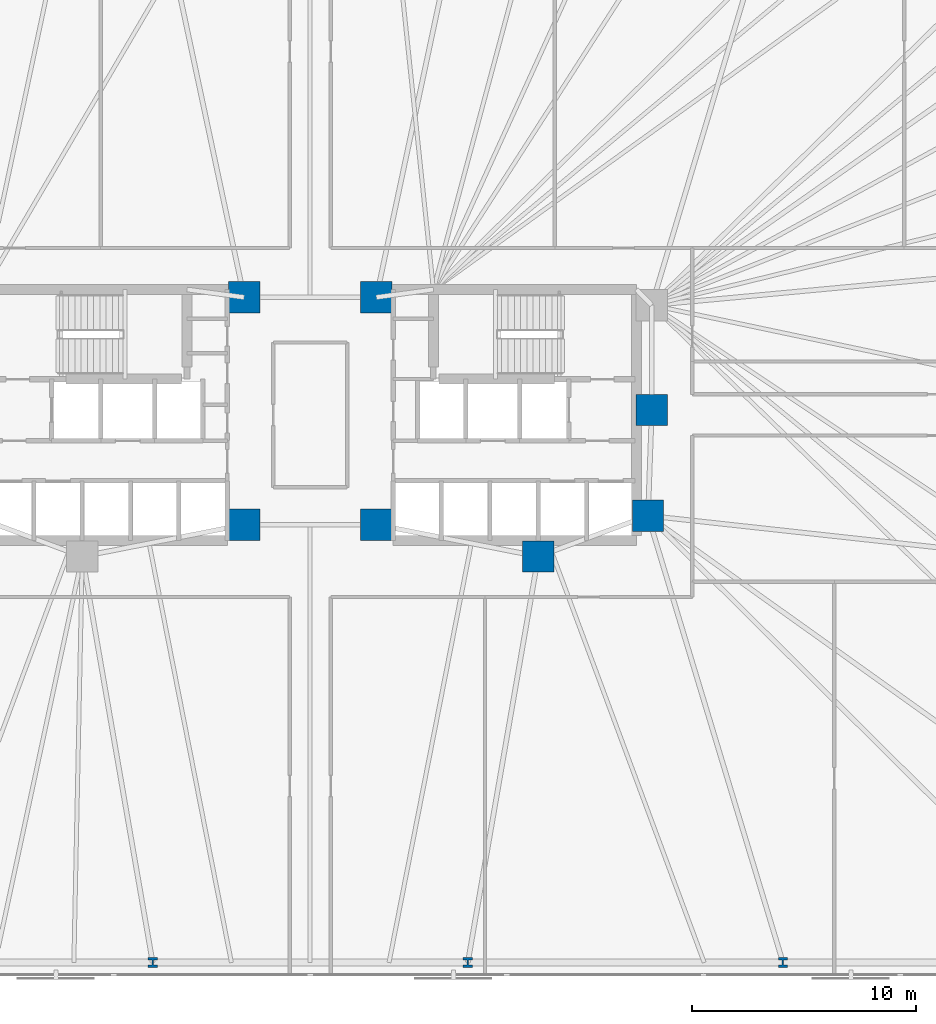
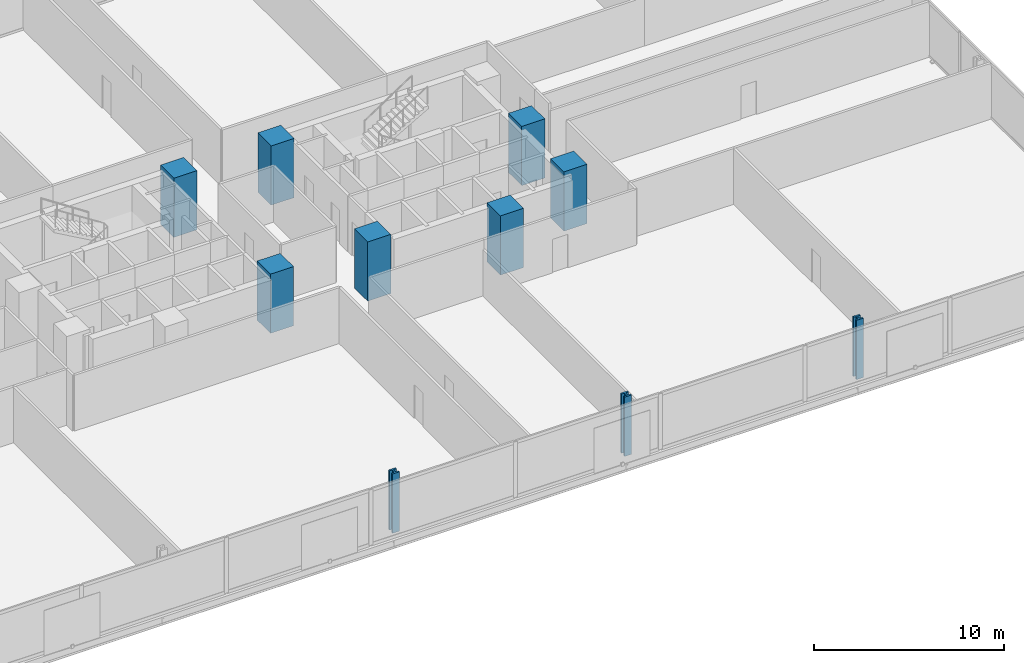
# One storey, part 3 of 17: 10 columns.
"""IFC4 building model written with IfcOpenShell, lengths in metres."""

from ifc_helpers import new_model, si_unit, direction, frame, origin, origin_2d, place, context, subcontext, project, spatial, rectangle, i_section, extrude, material, material_profile, profile_set, type_object, element, save


model = new_model("IFC4")

# Units and contexts
model_context = context("Model", 3, precision=1e-05, world=origin(), true_north=direction((0.0, 1.0)))
body_context = subcontext(model_context, "Body", "Model", "MODEL_VIEW")
ifc_project = project(units=[si_unit("LENGTHUNIT", "METRE"), si_unit("AREAUNIT", "SQUARE_METRE"), si_unit("VOLUMEUNIT", "CUBIC_METRE"), si_unit("PLANEANGLEUNIT", "RADIAN"), si_unit("MASSUNIT", "GRAM", prefix="KILO")], contexts=[model_context])

# Site, building, storey
site_placement = place(None, origin())
site = spatial("IfcSite", under=ifc_project, at=site_placement, CompositionType="ELEMENT")
building_placement = place(site_placement, origin())
building = spatial("IfcBuilding", under=site, at=building_placement, Name="Menara Jurai Vektor", CompositionType="ELEMENT")
storey_placement = place(building_placement, frame((0.0, 0.0, 21.800048828125)))
storey = spatial("IfcBuildingStorey", under=building, at=storey_placement, Name="L04", CompositionType="ELEMENT", Elevation=21.800048828125)

# Columns
ifc_material_1 = material(Name="Concrete C60/75", Category="concrete")
ifc_material_profile_1 = material_profile(ifc_material_1, rectangle(XDim=1.39990234375, YDim=1.39990234375, at=origin_2d()), Name="RC 1400x1400")
ifc_profile_set_1 = profile_set([ifc_material_profile_1], Name="Concrete C60/75")
column_type_1 = type_object("IfcColumnType", Name="STR-COL-RC1400", PredefinedType="COLUMN", material=ifc_profile_set_1)
for number, where, z_axis, x_axis, name in (
    (1, (-2.949951171875, -4.89990234375, 0.0), (0.0, 0.0, 1.0), (1.0, 0.0, 0.0), "Core Spine Column CW-SE L04"),
    (2, (-2.949951171875, 5.25, 0.0), (0.0, 0.0, 1.0), (1.0, 0.0, 0.0), "Core Spine Column CW-NE L04"),
    (3, (15.25, 0.219970703125, 0.0), (0.0, 0.0, 1.0), (1.0, 0.0, 0.0), "Core Spine Column CE-EM L04"),
    (4, (15.080078125, -4.5, 0.0), (0.0, 0.0, 1.0), (1.0, 0.0, 0.0), "Core Spine Column CE-SE L04"),
    (5, (10.179931640625, -6.320068359375, 0.0), (0.0, 0.0, 1.0), (1.0, 0.0, 0.0), "Core Spine Column CE-SM L04"),
    (6, (2.949951171875, -4.89990234375, 0.0), (0.0, 0.0, 1.0), (1.0, 0.0, 0.0), "Core Spine Column CE-SW L04"),
    (7, (2.949951171875, 5.25, 0.0), (0.0, 0.0, 1.0), (1.0, 0.0, 0.0), "Core Spine Column CE-NW L04"),
):
    element("IfcColumn", number, at=place(storey_placement, frame(where, z_axis=z_axis, x_axis=x_axis)), inside=storey, type_object=column_type_1, Name=name, PredefinedType="COLUMN", context=body_context, shape_type="SweptSolid", body=[
        extrude(rectangle(XDim=1.39990234375, YDim=1.39990234375, at=origin_2d()), origin(), (0.0, 0.0, 1.0), 3.800048828125),
    ])
ifc_material_2 = material(Name="Steel S460", Category="steel")
ifc_material_profile_2 = material_profile(ifc_material_2, i_section(OverallWidth=0.419921875, OverallDepth=0.430908203125, WebThickness=0.06494140625, FlangeThickness=0.10595703125, FilletRadius=0.014892578125, at=origin_2d()), Name="HD 400x900")
ifc_profile_set_2 = profile_set([ifc_material_profile_2], Name="Steel S460")
column_type_2 = type_object("IfcColumnType", Name="STR-EXO-BLK1", PredefinedType="COLUMN", material=ifc_profile_set_2)
for number, where, z_axis, x_axis, name in (
    (8, (-7.03564453125, -24.449951171875, 0.0), (0.0, 0.0, 1.0), (1.0, 0.0, 0.0), "Exoskeleton Column BLK1-S3 L04"),
    (9, (7.03564453125, -24.449951171875, 0.0), (0.0, 0.0, 1.0), (1.0, 0.0, 0.0), "Exoskeleton Column BLK1-S4 L04"),
    (10, (21.106689453125, -24.449951171875, 0.0), (0.0, 0.0, 1.0), (1.0, 0.0, 0.0), "Exoskeleton Column BLK1-S5 L04"),
):
    element("IfcColumn", number, at=place(storey_placement, frame(where, z_axis=z_axis, x_axis=x_axis)), inside=storey, type_object=column_type_2, Name=name, PredefinedType="COLUMN", context=body_context, shape_type="SweptSolid", body=[
        extrude(i_section(OverallWidth=0.419921875, OverallDepth=0.430908203125, WebThickness=0.06494140625, FlangeThickness=0.10595703125, FilletRadius=0.014892578125, at=origin_2d()), origin(), (0.0, 0.0, 1.0), 3.800048828125),
    ])

save(model, "model.ifc")
